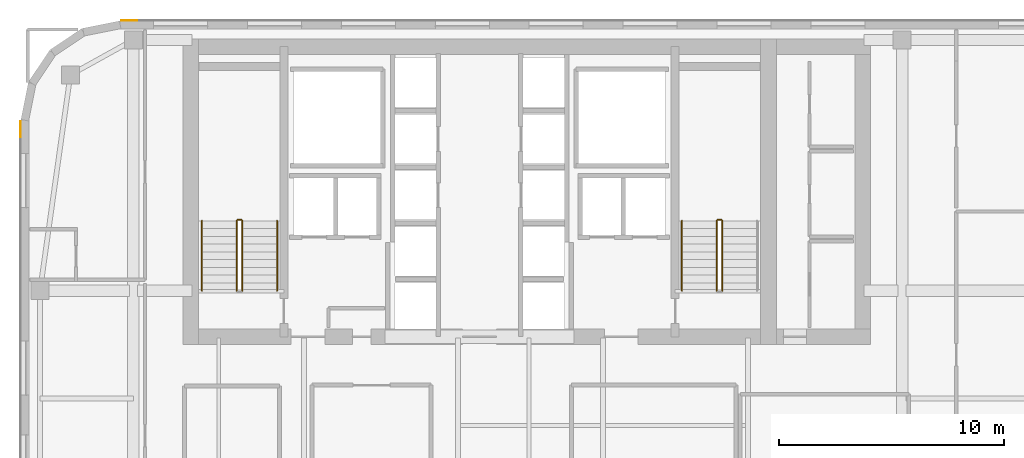
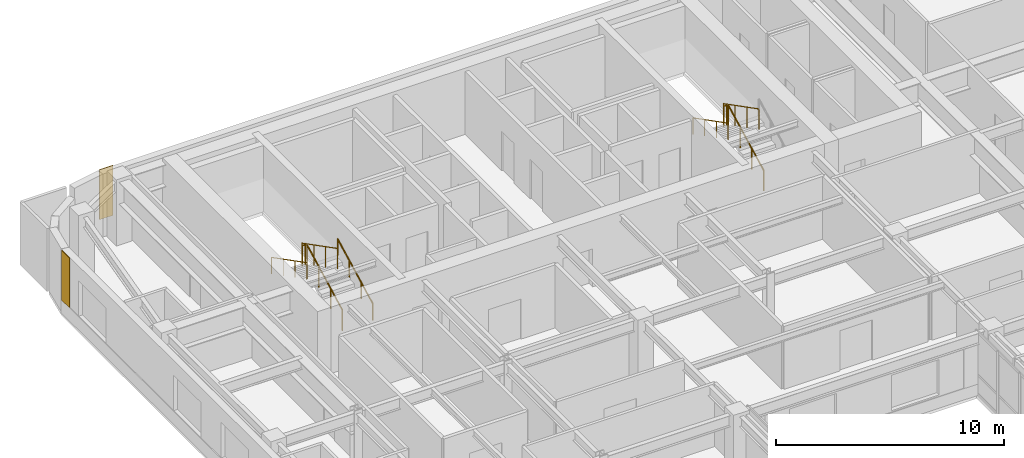
# One storey, part 19 of 20: 9 railings, 2 coverings.
"""IFC4 building model written with IfcOpenShell, lengths in metres."""

import ifcopenshell
import ifcopenshell.guid

model = None  # the IFC model being written
_history = None  # IfcOwnerHistory: only IFC2X3 demands one
_inside = {}  # id of a spatial element -> (the spatial element, [elements in it])
_under = {}  # id of a project, library or spatial element -> (it, [spatial elements below it])
_declared = {}  # id of a project -> (the project, [libraries it declares])
_typed = {}  # id of a type object -> (the type object, [elements of that type])
_made_of = {}  # id of a material, layer set ... -> (it, [elements and type objects made of it])


def new_model(schema):
    """Start an empty IFC model of exactly this schema.

    Asked for "IFC4X3", IfcOpenShell would pick the latest addendum, in which some entities
    have other attributes; the version numbers below select the first issue.
    IFC2X3 requires an IfcOwnerHistory on every rooted entity: one is made here for all.
    """
    global model, _history
    if schema == "IFC4X3":
        model = ifcopenshell.file(schema_version=(4, 3, 0, 0))
    else:
        model = ifcopenshell.file(schema=schema)
    _inside.clear()
    _under.clear()
    _declared.clear()
    _typed.clear()
    _made_of.clear()
    _history = None
    if model.schema == "IFC2X3":
        org = make("IfcOrganization", Name="unknown")
        user = make(
            "IfcPersonAndOrganization",
            ThePerson=make("IfcPerson", FamilyName="unknown"),
            TheOrganization=org,
        )
        app = make(
            "IfcApplication",
            ApplicationDeveloper=org,
            Version="unknown",
            ApplicationFullName="unknown",
            ApplicationIdentifier="unknown",
        )
        _history = make(
            "IfcOwnerHistory",
            OwningUser=user,
            OwningApplication=app,
            ChangeAction="ADDED",
            CreationDate=0,
        )
    return model


def make(cls, **values):
    """One entity of the class cls with the attributes given. An attribute that is None is left unset."""
    return model.create_entity(
        cls, **{name: value for name, value in values.items() if value is not None}
    )


def rooted(cls, **values):
    """An entity with a GlobalId (a new one), such as an element, a storey or a relation."""
    return make(cls, GlobalId=ifcopenshell.guid.new(), OwnerHistory=_history, **values)


def si_unit(unit_type, name, prefix=None):
    """IfcSIUnit, for example si_unit("LENGTHUNIT", "METRE", prefix="MILLI")."""
    return make("IfcSIUnit", UnitType=unit_type, Prefix=prefix, Name=name)


def assignment(units):
    """IfcUnitAssignment: the units of a project."""
    return None if units is None else make("IfcUnitAssignment", Units=units)


def point(xyz):
    """IfcCartesianPoint."""
    return None if xyz is None else make("IfcCartesianPoint", Coordinates=xyz)


def direction(xyz):
    """IfcDirection."""
    return None if xyz is None else make("IfcDirection", DirectionRatios=xyz)


def frame(location, z_axis=None, x_axis=None):
    """IfcAxis2Placement3D, a coordinate frame: its origin and axes. An axis left out is left unset."""
    return make(
        "IfcAxis2Placement3D",
        Location=point(location),
        Axis=direction(z_axis),
        RefDirection=direction(x_axis),
    )


def frame_2d(location, x_axis=None):
    """IfcAxis2Placement2D, a coordinate frame in the plane: its origin and x axis."""
    return make(
        "IfcAxis2Placement2D", Location=point(location), RefDirection=direction(x_axis)
    )


def origin():
    """The frame at (0, 0, 0) with its axes left unset."""
    return frame((0.0, 0.0, 0.0))


def origin_2d():
    """The frame at (0, 0) in the plane with its x axis left unset."""
    return frame_2d((0.0, 0.0))


def place(relative_to, where):
    """IfcLocalPlacement: puts the frame where relative to a parent placement (None: the world)."""
    return make(
        "IfcLocalPlacement", PlacementRelTo=relative_to, RelativePlacement=where
    )


def context(
    kind, dimensions, precision=None, world=None, true_north=None, identifier=None
):
    """IfcGeometricRepresentationContext, for example the 3D "Model" context."""
    return make(
        "IfcGeometricRepresentationContext",
        ContextIdentifier=identifier,
        ContextType=kind,
        CoordinateSpaceDimension=dimensions,
        Precision=precision,
        WorldCoordinateSystem=world,
        TrueNorth=true_north,
    )


def subcontext(parent, identifier, kind, view, scale=None):
    """IfcGeometricRepresentationSubContext, for example "Body" below "Model"."""
    return make(
        "IfcGeometricRepresentationSubContext",
        ContextIdentifier=identifier,
        ContextType=kind,
        ParentContext=parent,
        TargetScale=scale,
        TargetView=view,
    )


def project(units=None, contexts=None):
    """IfcProject with its units and contexts."""
    return rooted(
        "IfcProject",
        Name="project",
        RepresentationContexts=contexts,
        UnitsInContext=assignment(units),
    )


def spatial(cls, under=None, at=None, **own):
    """A site, building, storey or space (cls), placed at a placement, below another one or the project."""
    s = rooted(cls, ObjectPlacement=at, **own)
    if under is not None:
        _under.setdefault(under.id(), (under, []))[1].append(s)
    return s


def polyline(points):
    """IfcPolyline through the points."""
    return make("IfcPolyline", Points=[point(p) for p in points])


def profile(cls, at=None, kind="AREA", **sizes):
    """A parametric profile (cls). Its sizes go by their IFC names, for example OverallWidth=200.0."""
    return make(cls, ProfileType=kind, Position=at, **sizes)


def circle(**sizes):
    """IfcCircleProfileDef."""
    return profile("IfcCircleProfileDef", **sizes)


def outline(outer, holes=None, kind="AREA"):
    """IfcArbitraryClosedProfileDef: a profile drawn as a closed curve; with holes, ...WithVoids."""
    if holes is None:
        return make("IfcArbitraryClosedProfileDef", ProfileType=kind, OuterCurve=outer)
    return make(
        "IfcArbitraryProfileDefWithVoids",
        ProfileType=kind,
        OuterCurve=outer,
        InnerCurves=holes,
    )


def extrude(swept, where, along, depth):
    """IfcExtrudedAreaSolid: the profile swept, set in the frame where, extruded along a direction by depth."""
    return make(
        "IfcExtrudedAreaSolid",
        SweptArea=swept,
        Position=where,
        ExtrudedDirection=direction(along),
        Depth=depth,
    )


def shape(context_of_items, identifier, shape_type, items):
    """IfcShapeRepresentation: the items that make up one representation, for example the "Body"."""
    return make(
        "IfcShapeRepresentation",
        ContextOfItems=context_of_items,
        RepresentationIdentifier=identifier,
        RepresentationType=shape_type,
        Items=items,
    )


def material(Name=None, Category=None):
    """IfcMaterial."""
    return make("IfcMaterial", Name=Name, Category=Category)


def layer(
    of_material, thickness, ventilated=None, Name=None, Category=None, Priority=None
):
    """IfcMaterialLayer: one layer of a wall or slab, of a material (None: an air gap)."""
    return make(
        "IfcMaterialLayer",
        Material=of_material,
        LayerThickness=thickness,
        IsVentilated=ventilated,
        Name=Name,
        Category=Category,
        Priority=Priority,
    )


def layer_set(layers, Name=None):
    """IfcMaterialLayerSet."""
    return make("IfcMaterialLayerSet", MaterialLayers=layers, LayerSetName=Name)


def made_of(thing, what):
    """Note that an element or type object is made of a material, layer set ...; save() writes the relation."""
    if what is not None:
        _made_of.setdefault(what.id(), (what, []))[1].append(thing)
    return thing


def type_object(cls, material=None, **own):
    """A type object (cls), such as IfcWallType, which elements share."""
    return made_of(rooted(cls, **own), material)


def element(
    cls,
    number,
    at=None,
    inside=None,
    cuts=None,
    type_object=None,
    material=None,
    context=None,
    identifier="Body",
    shape_type=None,
    held_by="IfcProductDefinitionShape",
    body=None,
    shapes=None,
    **own,
):
    """One element of the class cls, such as IfcWall. Its Tag is "e" and its number.

    at: its placement. inside: the storey or other place that contains it. cuts: it is an
    opening in that element (IfcRelVoidsElement). A single representation is given by context,
    identifier, shape_type and body (its items); several are given by shapes. held_by: the class
    of the entity that holds the representations. save() writes the other relations.
    """
    e = rooted(cls, Tag="e%d" % number, ObjectPlacement=at, **own)
    if body is not None:
        shapes = [shape(context, identifier, shape_type, body)]
    if shapes is not None:
        e.Representation = make(held_by, Representations=shapes)
    if inside is not None:
        _inside.setdefault(inside.id(), (inside, []))[1].append(e)
    if cuts is not None:
        rooted(
            "IfcRelVoidsElement", RelatingBuildingElement=cuts, RelatedOpeningElement=e
        )
    if type_object is not None:
        _typed.setdefault(type_object.id(), (type_object, []))[1].append(e)
    return made_of(e, material)


def aggregate(whole, parts):
    """IfcRelAggregates: a whole, such as a stair, and the parts it consists of."""
    return rooted("IfcRelAggregates", RelatingObject=whole, RelatedObjects=parts)


def save(model, path):
    """Write the relations noted so far, then the file.

    IfcRelAggregates (storeys below a building ...), IfcRelContainedInSpatialStructure (elements
    in a storey), IfcRelDefinesByType, IfcRelAssociatesMaterial and IfcRelDeclares: one each for
    every whole, place, type object, material and project.
    """
    for whole, parts in _under.values():
        aggregate(whole, parts)
    for where, things in _inside.values():
        rooted(
            "IfcRelContainedInSpatialStructure",
            RelatedElements=things,
            RelatingStructure=where,
        )
    for kind, things in _typed.values():
        rooted("IfcRelDefinesByType", RelatedObjects=things, RelatingType=kind)
    for what, things in _made_of.values():
        rooted("IfcRelAssociatesMaterial", RelatedObjects=things, RelatingMaterial=what)
    for by, libraries in _declared.values():
        rooted("IfcRelDeclares", RelatingContext=by, RelatedDefinitions=libraries)
    model.write(path)


model = new_model("IFC4")

# Units and contexts
model_context = context("Model", 3, precision=1e-05, world=origin(), true_north=direction((0.0, 1.0)))
body_context = subcontext(model_context, "Body", "Model", "MODEL_VIEW")
ifc_project = project(units=[si_unit("LENGTHUNIT", "METRE"), si_unit("AREAUNIT", "SQUARE_METRE"), si_unit("VOLUMEUNIT", "CUBIC_METRE"), si_unit("PLANEANGLEUNIT", "RADIAN"), si_unit("MASSUNIT", "GRAM", prefix="KILO")], contexts=[model_context])

# Site, building, storey
site_placement = place(None, origin())
site = spatial("IfcSite", under=ifc_project, at=site_placement, CompositionType="ELEMENT")
building_placement = place(site_placement, origin())
building = spatial("IfcBuilding", under=site, at=building_placement, Name="Tolvann Quenvar Hotel", CompositionType="ELEMENT")
storey_placement = place(building_placement, frame((0.0, 0.0, 175.449951171875)))
storey = spatial("IfcBuildingStorey", under=building, at=storey_placement, Name="L46", CompositionType="ELEMENT", Elevation=175.449951171875)

# Coverings
ifc_material_1 = material(Name="Kiln-fired red architectural face brick cladding", Category="masonry")
ifc_layer = layer(ifc_material_1, 0.0400390625)
ifc_layer_set = layer_set([ifc_layer], Name="Kiln-fired red architectural face brick cladding")
covering_type = type_object("IfcCoveringType", Name="COV_CLAD_BRICK_40", PredefinedType="CLADDING", material=ifc_layer_set)
covering_1_placement = place(storey_placement, frame((0.0, 0.0, 0.699951171875)))
element("IfcCovering", 1, at=covering_1_placement, inside=storey, type_object=covering_type, Name="Brick Pier Cladding (L46-E18-P2)", PredefinedType="CLADDING", context=body_context, shape_type="SweptSolid", body=[
    extrude(outline(polyline([(7.76708984375, 46.0), (7.067138671875, 46.0), (7.067138671875, 46.0400390625), (7.76708984375, 46.0400390625), (7.76708984375, 46.0)])), origin(), (0.0, 0.0, 1.0), 2.670166015625),
])
covering_2_placement = place(storey_placement, frame((0.0, 0.0, 0.699951171875)))
element("IfcCovering", 2, at=covering_2_placement, inside=storey, type_object=covering_type, Name="Brick Pier Cladding (L46-E23-P1)", PredefinedType="CLADDING", context=body_context, shape_type="SweptSolid", body=[
    extrude(outline(polyline([(2.60009765625, 41.53271484375), (2.60009765625, 40.832763671875), (2.56005859375, 40.832763671875), (2.56005859375, 41.53271484375), (2.60009765625, 41.53271484375)])), origin(), (0.0, 0.0, 1.0), 2.670166015625),
])

# Railings
ifc_material_2 = material(Name="Brushed 316 stainless steel balustrade and handrail", Category="steel")
railing_type_1 = type_object("IfcRailingType", Name="GUARDRAIL", PredefinedType="GUARDRAIL", material=ifc_material_2)
railing_1_placement = place(storey_placement, frame((12.449951171875, 34.0, 0.177490234375)))
element("IfcRailing", 3, at=railing_1_placement, inside=storey, type_object=railing_type_1, Name="L46 ST-C1 stair guard 1", PredefinedType="GUARDRAIL", context=body_context, shape_type="SweptSolid", body=[
    extrude(circle(Radius=0.02392578125, at=origin_2d()), frame((0.0, 0.0, 1.09619140625), z_axis=(0.0, 0.88919353882, 0.457531256332), x_axis=(-1.0, 0.0, 0.0)), (0.0, 0.0, 1.0), 3.491943359375),
    extrude(circle(Radius=0.02099609375, at=origin_2d()), origin(), (0.0, 0.0, 1.0), 1.072021484375),
    extrude(circle(Radius=0.02099609375, at=origin_2d()), frame((0.0, 1.034912109375, 0.532470703125)), (0.0, 0.0, 1.0), 1.072021484375),
    extrude(circle(Radius=0.02099609375, at=origin_2d()), frame((0.0, 2.070068359375, 1.065185546875)), (0.0, 0.0, 1.0), 1.072021484375),
    extrude(circle(Radius=0.02099609375, at=origin_2d()), frame((0.0, 3.10498046875, 1.59765625)), (0.0, 0.0, 1.0), 1.072021484375),
])
railing_2_placement = place(storey_placement, frame((12.39990234375, 37.155029296875, 1.775146484375)))
element("IfcRailing", 4, at=railing_2_placement, inside=storey, type_object=railing_type_1, Name="L46 ST-C1 stair guard 2", PredefinedType="GUARDRAIL", context=body_context, shape_type="SweptSolid", body=[
    extrude(circle(Radius=0.02392578125, at=origin_2d()), frame((0.0, 0.0, 1.09619140625), z_axis=(-1.0, 0.0, 0.0), x_axis=(0.0, -1.0, 0.0)), (0.0, 0.0, 1.0), 0.14990234375),
    extrude(circle(Radius=0.02099609375, at=origin_2d()), origin(), (0.0, 0.0, 1.0), 1.072021484375),
    extrude(circle(Radius=0.02099609375, at=origin_2d()), frame((-0.14990234375, 0.0, 0.0)), (0.0, 0.0, 1.0), 1.072021484375),
])
railing_3_placement = place(storey_placement, frame((12.199951171875, 37.10498046875, 1.95263671875)))
element("IfcRailing", 5, at=railing_3_placement, inside=storey, type_object=railing_type_1, Name="L46 ST-C1 stair guard 3", PredefinedType="GUARDRAIL", context=body_context, shape_type="SweptSolid", body=[
    extrude(circle(Radius=0.02392578125, at=origin_2d()), frame((0.0, 0.0, 1.09619140625), z_axis=(0.0, -0.889221982265, 0.45747597342), x_axis=(1.0, 0.0, 0.0)), (0.0, 0.0, 1.0), 3.49169921875),
    extrude(circle(Radius=0.02099609375, at=origin_2d()), origin(), (0.0, 0.0, 1.0), 1.072021484375),
    extrude(circle(Radius=0.02099609375, at=origin_2d()), frame((0.0, -1.034912109375, 0.532470703125)), (0.0, 0.0, 1.0), 1.072021484375),
    extrude(circle(Radius=0.02099609375, at=origin_2d()), frame((0.0, -2.070068359375, 1.06494140625)), (0.0, 0.0, 1.0), 1.072021484375),
    extrude(circle(Radius=0.02099609375, at=origin_2d()), frame((0.0, -3.10498046875, 1.597412109375)), (0.0, 0.0, 1.0), 1.072021484375),
])
railing_4_placement = place(storey_placement, frame((33.800048828125, 34.0, 0.177490234375)))
element("IfcRailing", 6, at=railing_4_placement, inside=storey, type_object=railing_type_1, Name="L46 ST-C2 stair guard 1", PredefinedType="GUARDRAIL", context=body_context, shape_type="SweptSolid", body=[
    extrude(circle(Radius=0.02392578125, at=origin_2d()), frame((0.0, 0.0, 1.09619140625), z_axis=(0.0, 0.88919353882, 0.457531256332), x_axis=(-1.0, 0.0, 0.0)), (0.0, 0.0, 1.0), 3.491943359375),
    extrude(circle(Radius=0.02099609375, at=origin_2d()), origin(), (0.0, 0.0, 1.0), 1.072021484375),
    extrude(circle(Radius=0.02099609375, at=origin_2d()), frame((0.0, 1.034912109375, 0.532470703125)), (0.0, 0.0, 1.0), 1.072021484375),
    extrude(circle(Radius=0.02099609375, at=origin_2d()), frame((0.0, 2.070068359375, 1.065185546875)), (0.0, 0.0, 1.0), 1.072021484375),
    extrude(circle(Radius=0.02099609375, at=origin_2d()), frame((0.0, 3.10498046875, 1.59765625)), (0.0, 0.0, 1.0), 1.072021484375),
])
railing_5_placement = place(storey_placement, frame((33.75, 37.155029296875, 1.775146484375)))
element("IfcRailing", 7, at=railing_5_placement, inside=storey, type_object=railing_type_1, Name="L46 ST-C2 stair guard 2", PredefinedType="GUARDRAIL", context=body_context, shape_type="SweptSolid", body=[
    extrude(circle(Radius=0.02392578125, at=origin_2d()), frame((0.0, 0.0, 1.09619140625), z_axis=(-1.0, 0.0, 0.0), x_axis=(0.0, -1.0, 0.0)), (0.0, 0.0, 1.0), 0.14990234375),
    extrude(circle(Radius=0.02099609375, at=origin_2d()), origin(), (0.0, 0.0, 1.0), 1.072021484375),
    extrude(circle(Radius=0.02099609375, at=origin_2d()), frame((-0.14990234375, 0.0, 0.0)), (0.0, 0.0, 1.0), 1.072021484375),
])
railing_6_placement = place(storey_placement, frame((33.550048828125, 37.10498046875, 1.95263671875)))
element("IfcRailing", 8, at=railing_6_placement, inside=storey, type_object=railing_type_1, Name="L46 ST-C2 stair guard 3", PredefinedType="GUARDRAIL", context=body_context, shape_type="SweptSolid", body=[
    extrude(circle(Radius=0.02392578125, at=origin_2d()), frame((0.0, 0.0, 1.09619140625), z_axis=(0.0, -0.889221982265, 0.45747597342), x_axis=(1.0, 0.0, 0.0)), (0.0, 0.0, 1.0), 3.49169921875),
    extrude(circle(Radius=0.02099609375, at=origin_2d()), origin(), (0.0, 0.0, 1.0), 1.072021484375),
    extrude(circle(Radius=0.02099609375, at=origin_2d()), frame((0.0, -1.034912109375, 0.532470703125)), (0.0, 0.0, 1.0), 1.072021484375),
    extrude(circle(Radius=0.02099609375, at=origin_2d()), frame((0.0, -2.070068359375, 1.06494140625)), (0.0, 0.0, 1.0), 1.072021484375),
    extrude(circle(Radius=0.02099609375, at=origin_2d()), frame((0.0, -3.10498046875, 1.597412109375)), (0.0, 0.0, 1.0), 1.072021484375),
])
railing_type_2 = type_object("IfcRailingType", Name="HANDRAIL", PredefinedType="HANDRAIL", material=ifc_material_2)
railing_7_placement = place(storey_placement, frame((14.0, 34.0, 0.177490234375)))
element("IfcRailing", 9, at=railing_7_placement, inside=storey, type_object=railing_type_2, Name="L46 ST-C1 stair handrail 1", PredefinedType="HANDRAIL", context=body_context, shape_type="SweptSolid", body=[
    extrude(circle(Radius=0.02392578125, at=origin_2d()), frame((0.0, 0.0, 0.8759765625), z_axis=(0.0, 0.88919353882, 0.457531256332), x_axis=(-1.0, 0.0, 0.0)), (0.0, 0.0, 1.0), 3.491943359375),
    extrude(circle(Radius=0.02099609375, at=origin_2d()), origin(), (0.0, 0.0, 1.0), 0.851806640625),
    extrude(circle(Radius=0.02099609375, at=origin_2d()), frame((0.0, 1.034912109375, 0.532470703125)), (0.0, 0.0, 1.0), 0.851806640625),
    extrude(circle(Radius=0.02099609375, at=origin_2d()), frame((0.0, 2.070068359375, 1.065185546875)), (0.0, 0.0, 1.0), 0.851806640625),
    extrude(circle(Radius=0.02099609375, at=origin_2d()), frame((0.0, 3.10498046875, 1.59765625)), (0.0, 0.0, 1.0), 0.851806640625),
])
for number, where, name in (
    (10, (10.64990234375, 37.10498046875, 1.95263671875), "L46 ST-C1 stair handrail 2"),
    (11, (32.0, 37.10498046875, 1.95263671875), "L46 ST-C2 stair handrail 2"),
):
    element("IfcRailing", number, at=place(storey_placement, frame(where)), inside=storey, type_object=railing_type_2, Name=name, PredefinedType="HANDRAIL", context=body_context, shape_type="SweptSolid", body=[
        extrude(circle(Radius=0.02392578125, at=origin_2d()), frame((0.0, 0.0, 0.8759765625), z_axis=(0.0, -0.889221982265, 0.45747597342), x_axis=(1.0, 0.0, 0.0)), (0.0, 0.0, 1.0), 3.49169921875),
        extrude(circle(Radius=0.02099609375, at=origin_2d()), origin(), (0.0, 0.0, 1.0), 0.851806640625),
        extrude(circle(Radius=0.02099609375, at=origin_2d()), frame((0.0, -1.034912109375, 0.532470703125)), (0.0, 0.0, 1.0), 0.851806640625),
        extrude(circle(Radius=0.02099609375, at=origin_2d()), frame((0.0, -2.070068359375, 1.06494140625)), (0.0, 0.0, 1.0), 0.851806640625),
        extrude(circle(Radius=0.02099609375, at=origin_2d()), frame((0.0, -3.10498046875, 1.597412109375)), (0.0, 0.0, 1.0), 0.851806640625),
    ])

save(model, "model.ifc")
